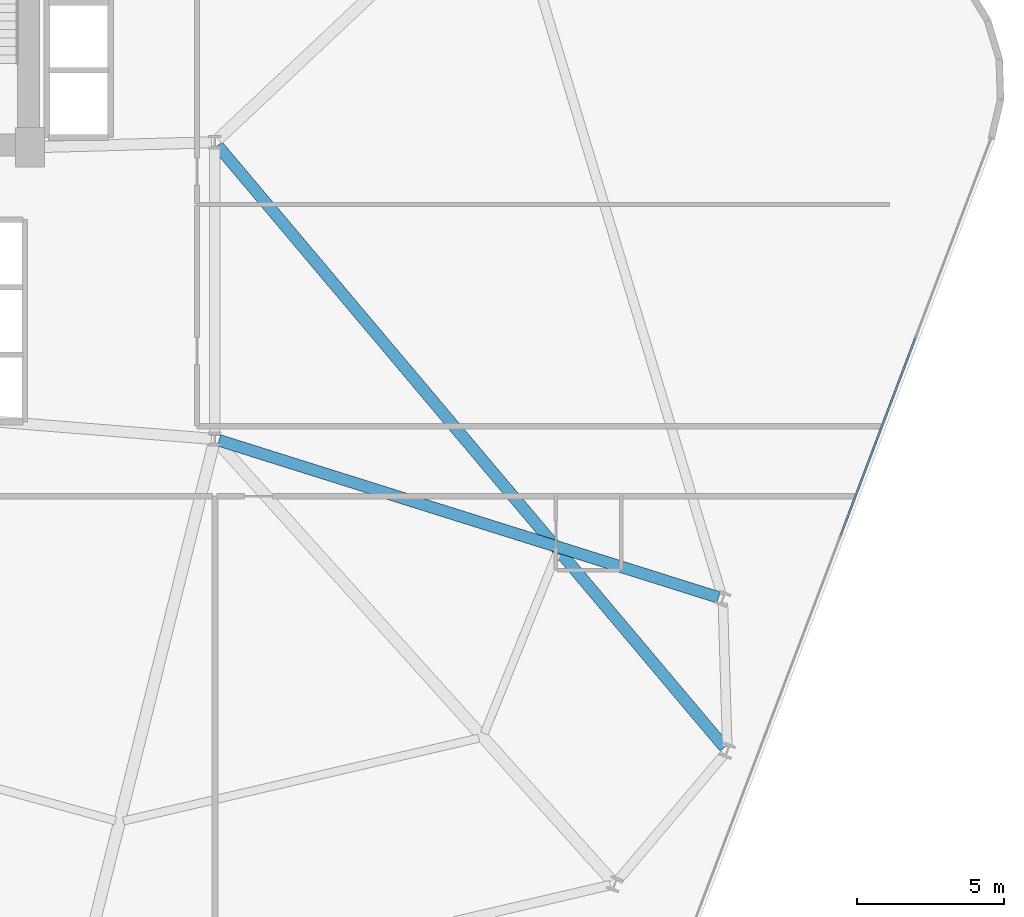
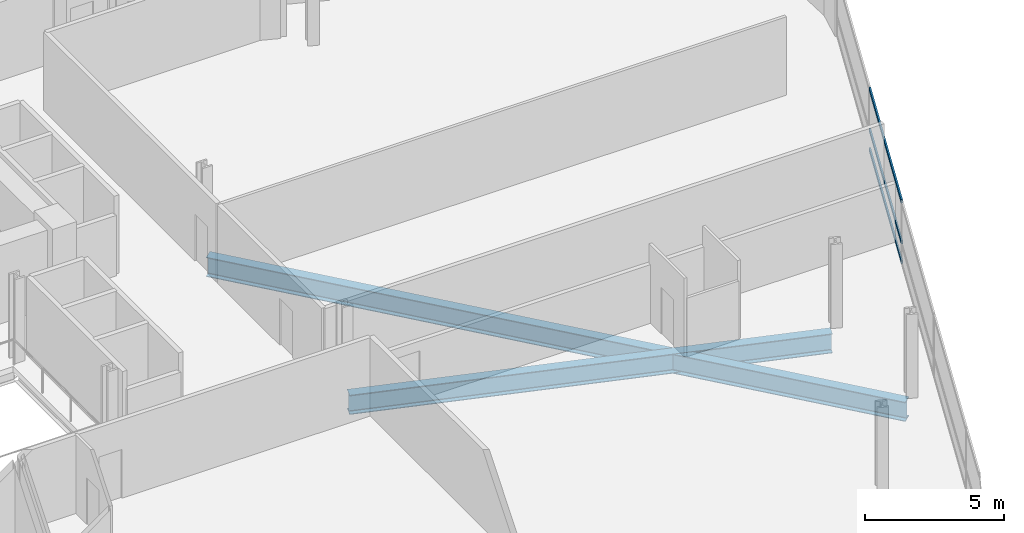
# One storey, part 12 of 24: 3 members, 2 beams, 1 element without a shape of its own.
"""IFC4 building model written with IfcOpenShell, lengths in metres."""

from ifc_helpers import new_model, si_unit, direction, frame, origin, origin_2d, place, context, subcontext, project, spatial, hollow_rectangle, i_section, extrude, material, layer, layer_set, material_profile, profile_set, type_object, element, aggregate, save


model = new_model("IFC4")

# Units and contexts
model_context = context("Model", 3, precision=1e-05, world=origin(), true_north=direction((0.0, 1.0)))
body_context = subcontext(model_context, "Body", "Model", "MODEL_VIEW")
ifc_project = project(units=[si_unit("LENGTHUNIT", "METRE"), si_unit("AREAUNIT", "SQUARE_METRE"), si_unit("VOLUMEUNIT", "CUBIC_METRE"), si_unit("PLANEANGLEUNIT", "RADIAN"), si_unit("MASSUNIT", "GRAM", prefix="KILO")], contexts=[model_context])

# Site, building, storey
site_placement = place(None, origin())
site = spatial("IfcSite", under=ifc_project, at=site_placement, CompositionType="ELEMENT")
building_placement = place(site_placement, origin())
building = spatial("IfcBuilding", under=site, at=building_placement, Name="Varnelok Gate Tower", CompositionType="ELEMENT")
storey_placement = place(building_placement, frame((0.0, 0.0, 98.39990234375)))
storey = spatial("IfcBuildingStorey", under=building, at=storey_placement, Name="L24", CompositionType="ELEMENT", Elevation=98.39990234375)

# Beams
ifc_material_1 = material(Name="Structural Steel ASTM A992 Grade 50", Category="steel")
ifc_material_profile_1 = material_profile(ifc_material_1, i_section(OverallWidth=0.39892578125, OverallDepth=0.85498046875, WebThickness=0.018310546875, FlangeThickness=0.029296875, FilletRadius=0.02392578125, at=origin_2d()), Name="W33X201")
ifc_profile_set_1 = profile_set([ifc_material_profile_1], Name="Structural Steel ASTM A992 Grade 50")
beam_type = type_object("IfcBeamType", Name="BM-PRI-W33X201", PredefinedType="BEAM", material=ifc_profile_set_1)
beam_1_placement = place(storey_placement, frame((54.0966796875, 28.805419921875, -0.677490234375), z_axis=(0.644241110533, -0.764822457502, 0.0), x_axis=(0.764822457502, 0.644241110533, 0.0)))
element("IfcBeam", 1, at=beam_1_placement, inside=storey, type_object=beam_type, Name="L24 Radial Floor Girder 7", PredefinedType="BEAM", context=body_context, shape_type="SweptSolid", body=[
    extrude(i_section(OverallWidth=0.39892578125, OverallDepth=0.85498046875, WebThickness=0.018310546875, FlangeThickness=0.029296875, FilletRadius=0.02392578125, at=origin_2d()), origin(), (0.0, 0.0, 1.0), 26.8271484375),
])
beam_2_placement = place(storey_placement, frame((54.14306640625, 18.7548828125, -0.677490234375), z_axis=(0.953948561039, -0.299970236678, 0.0), x_axis=(0.299970236678, 0.953948561039, 0.0)))
element("IfcBeam", 2, at=beam_2_placement, inside=storey, type_object=beam_type, Name="L24 Radial Floor Girder 8", PredefinedType="BEAM", context=body_context, shape_type="SweptSolid", body=[
    extrude(i_section(OverallWidth=0.39892578125, OverallDepth=0.85498046875, WebThickness=0.018310546875, FlangeThickness=0.029296875, FilletRadius=0.02392578125, at=origin_2d()), origin(), (0.0, 0.0, 1.0), 17.85498046875),
])

# Curtain wall, members
ifc_material_2 = material(Name="Anodized Aluminum Alloy 6063-T6", Category="aluminium")
ifc_layer = layer(ifc_material_2, 0.179931640625)
ifc_layer_set = layer_set([ifc_layer], Name="Anodized Aluminum Alloy 6063-T6")
curtain_wall_type = type_object("IfcCurtainWallType", Name="CW3-HOTEL-VISION", PredefinedType="USERDEFINED", material=ifc_layer_set)
curtain_wall_placement = place(storey_placement, origin())
curtain_wall = element("IfcCurtainWall", 3, at=curtain_wall_placement, inside=storey, type_object=curtain_wall_type, Name="L24 East End Vision Curtain Wall", ObjectType="UNITISED CURTAIN WALL", PredefinedType="USERDEFINED")
ifc_material_profile_2 = material_profile(ifc_material_2, hollow_rectangle(XDim=0.06494140625, YDim=0.159912109375, WallThickness=0.00390625, at=origin_2d()), Name="ALU160X65X4")
ifc_profile_set_2 = profile_set([ifc_material_profile_2], Name="Anodized Aluminum Alloy 6063-T6")
member_type = type_object("IfcMemberType", Name="CW-TRAN-160", PredefinedType="USERDEFINED", material=ifc_profile_set_2)
member_1_placement = place(storey_placement, frame((77.8798828125, 22.233642578125, 0.03271484375), z_axis=(-0.354048963644, -0.935226887628, 0.0), x_axis=(0.935226887628, -0.354048963644, 0.0)))
member_1 = element("IfcMember", 4, at=member_1_placement, type_object=member_type, Name="CW3 transom 2.1", ObjectType="TRANSOM", PredefinedType="USERDEFINED", context=body_context, shape_type="SweptSolid", body=[
    extrude(hollow_rectangle(XDim=0.06494140625, YDim=0.159912109375, WallThickness=0.00390625, at=origin_2d()), origin(), (0.0, 0.0, 1.0), 7.175048828125),
])
member_2_placement = place(storey_placement, frame((77.8798828125, 22.233642578125, 0.900146484375), z_axis=(-0.354048963644, -0.935226887628, 0.0), x_axis=(0.935226887628, -0.354048963644, 0.0)))
member_2 = element("IfcMember", 5, at=member_2_placement, type_object=member_type, Name="CW3 transom 2.2", ObjectType="TRANSOM", PredefinedType="USERDEFINED", context=body_context, shape_type="SweptSolid", body=[
    extrude(hollow_rectangle(XDim=0.06494140625, YDim=0.159912109375, WallThickness=0.00390625, at=origin_2d()), origin(), (0.0, 0.0, 1.0), 7.175048828125),
])
member_3_placement = place(storey_placement, frame((77.8798828125, 22.233642578125, 2.697509765625), z_axis=(-0.354048963644, -0.935226887628, 0.0), x_axis=(0.935226887628, -0.354048963644, 0.0)))
member_3 = element("IfcMember", 6, at=member_3_placement, type_object=member_type, Name="CW3 transom 2.3", ObjectType="TRANSOM", PredefinedType="USERDEFINED", context=body_context, shape_type="SweptSolid", body=[
    extrude(hollow_rectangle(XDim=0.06494140625, YDim=0.159912109375, WallThickness=0.00390625, at=origin_2d()), origin(), (0.0, 0.0, 1.0), 7.175048828125),
])
aggregate(curtain_wall, [member_1, member_2, member_3])

save(model, "model.ifc")
